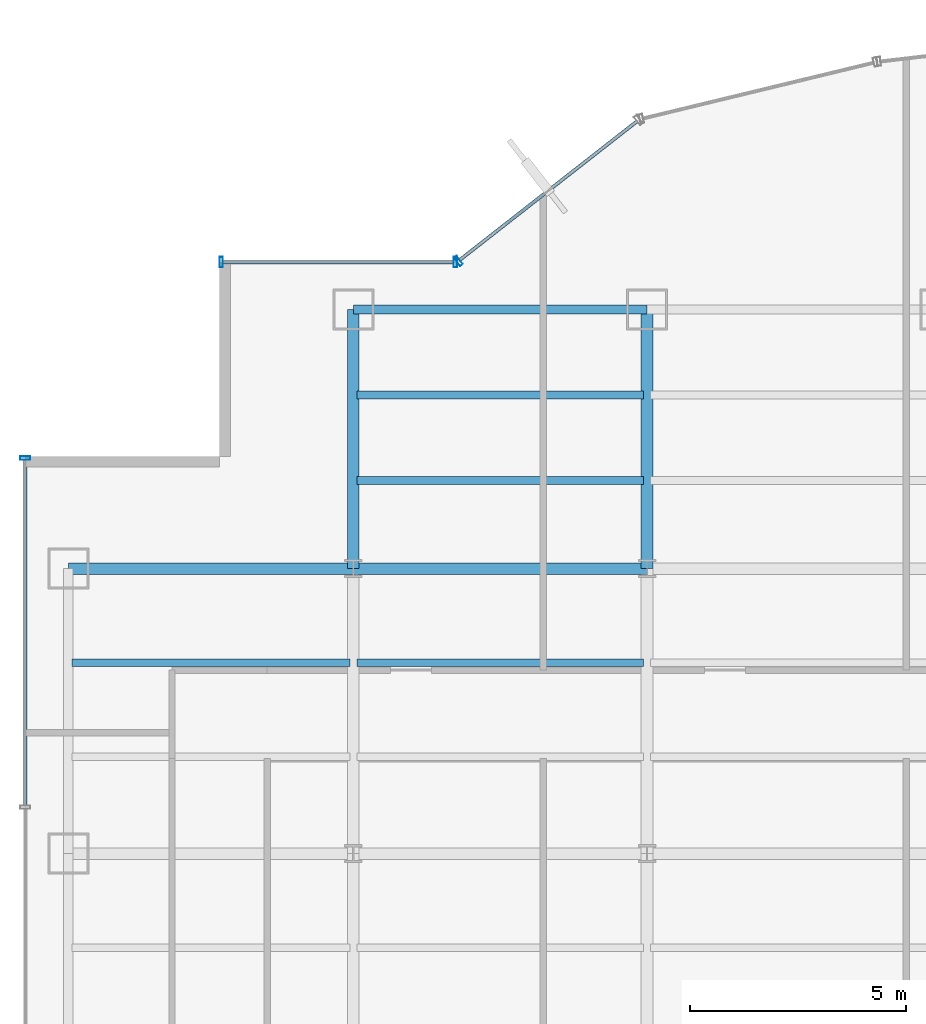
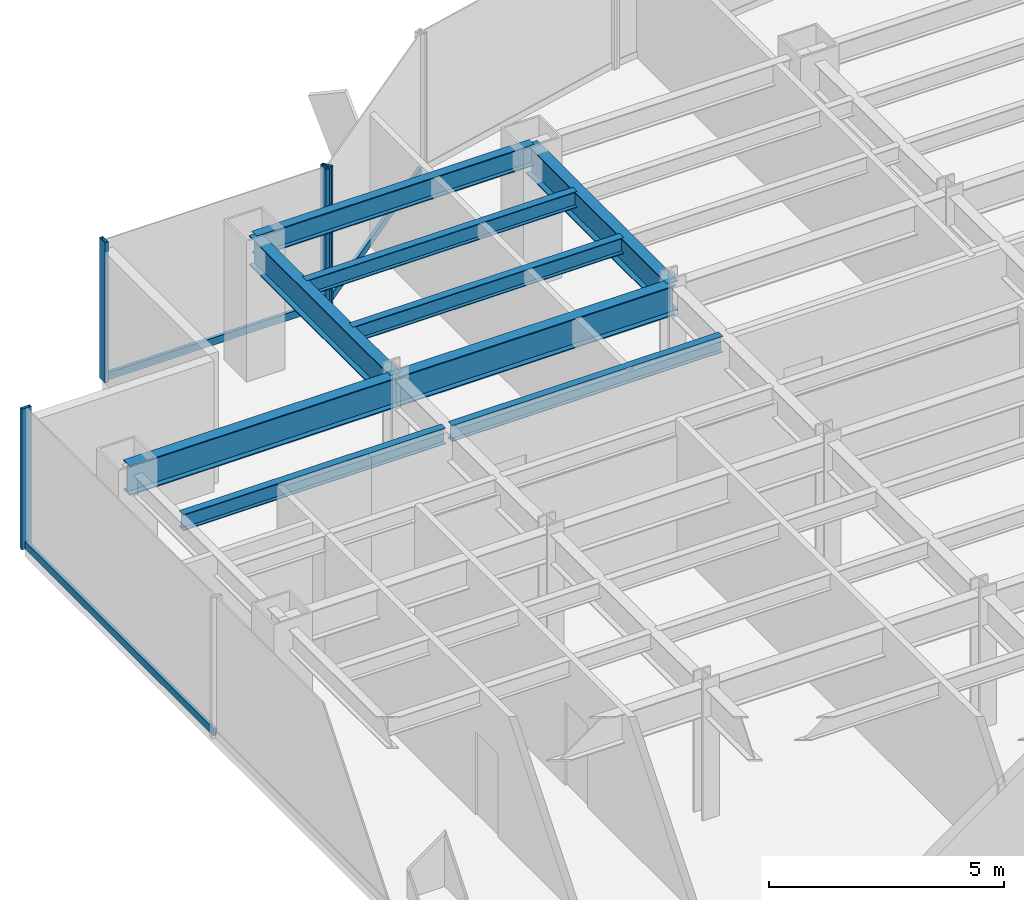
# One storey, part 10 of 23: 9 beams, 7 members, 3 elements without a shape of their own.
"""IFC4 building model written with IfcOpenShell, lengths in metres."""

import ifcopenshell
import ifcopenshell.guid

model = None  # the IFC model being written
_history = None  # IfcOwnerHistory: only IFC2X3 demands one
_inside = {}  # id of a spatial element -> (the spatial element, [elements in it])
_under = {}  # id of a project, library or spatial element -> (it, [spatial elements below it])
_declared = {}  # id of a project -> (the project, [libraries it declares])
_typed = {}  # id of a type object -> (the type object, [elements of that type])
_made_of = {}  # id of a material, layer set ... -> (it, [elements and type objects made of it])


def new_model(schema):
    """Start an empty IFC model of exactly this schema.

    Asked for "IFC4X3", IfcOpenShell would pick the latest addendum, in which some entities
    have other attributes; the version numbers below select the first issue.
    IFC2X3 requires an IfcOwnerHistory on every rooted entity: one is made here for all.
    """
    global model, _history
    if schema == "IFC4X3":
        model = ifcopenshell.file(schema_version=(4, 3, 0, 0))
    else:
        model = ifcopenshell.file(schema=schema)
    _inside.clear()
    _under.clear()
    _declared.clear()
    _typed.clear()
    _made_of.clear()
    _history = None
    if model.schema == "IFC2X3":
        org = make("IfcOrganization", Name="unknown")
        user = make(
            "IfcPersonAndOrganization",
            ThePerson=make("IfcPerson", FamilyName="unknown"),
            TheOrganization=org,
        )
        app = make(
            "IfcApplication",
            ApplicationDeveloper=org,
            Version="unknown",
            ApplicationFullName="unknown",
            ApplicationIdentifier="unknown",
        )
        _history = make(
            "IfcOwnerHistory",
            OwningUser=user,
            OwningApplication=app,
            ChangeAction="ADDED",
            CreationDate=0,
        )
    return model


def make(cls, **values):
    """One entity of the class cls with the attributes given. An attribute that is None is left unset."""
    return model.create_entity(
        cls, **{name: value for name, value in values.items() if value is not None}
    )


def rooted(cls, **values):
    """An entity with a GlobalId (a new one), such as an element, a storey or a relation."""
    return make(cls, GlobalId=ifcopenshell.guid.new(), OwnerHistory=_history, **values)


def si_unit(unit_type, name, prefix=None):
    """IfcSIUnit, for example si_unit("LENGTHUNIT", "METRE", prefix="MILLI")."""
    return make("IfcSIUnit", UnitType=unit_type, Prefix=prefix, Name=name)


def derived_unit(unit_type, elements):
    """IfcDerivedUnit: a product of units, each with its exponent."""
    return make(
        "IfcDerivedUnit",
        Elements=[
            make("IfcDerivedUnitElement", Unit=unit, Exponent=power)
            for unit, power in elements
        ],
        UnitType=unit_type,
    )


def assignment(units):
    """IfcUnitAssignment: the units of a project."""
    return None if units is None else make("IfcUnitAssignment", Units=units)


def point(xyz):
    """IfcCartesianPoint."""
    return None if xyz is None else make("IfcCartesianPoint", Coordinates=xyz)


def direction(xyz):
    """IfcDirection."""
    return None if xyz is None else make("IfcDirection", DirectionRatios=xyz)


def frame(location, z_axis=None, x_axis=None):
    """IfcAxis2Placement3D, a coordinate frame: its origin and axes. An axis left out is left unset."""
    return make(
        "IfcAxis2Placement3D",
        Location=point(location),
        Axis=direction(z_axis),
        RefDirection=direction(x_axis),
    )


def frame_2d(location, x_axis=None):
    """IfcAxis2Placement2D, a coordinate frame in the plane: its origin and x axis."""
    return make(
        "IfcAxis2Placement2D", Location=point(location), RefDirection=direction(x_axis)
    )


def origin():
    """The frame at (0, 0, 0) with its axes left unset."""
    return frame((0.0, 0.0, 0.0))


def origin_2d():
    """The frame at (0, 0) in the plane with its x axis left unset."""
    return frame_2d((0.0, 0.0))


def place(relative_to, where):
    """IfcLocalPlacement: puts the frame where relative to a parent placement (None: the world)."""
    return make(
        "IfcLocalPlacement", PlacementRelTo=relative_to, RelativePlacement=where
    )


def context(
    kind, dimensions, precision=None, world=None, true_north=None, identifier=None
):
    """IfcGeometricRepresentationContext, for example the 3D "Model" context."""
    return make(
        "IfcGeometricRepresentationContext",
        ContextIdentifier=identifier,
        ContextType=kind,
        CoordinateSpaceDimension=dimensions,
        Precision=precision,
        WorldCoordinateSystem=world,
        TrueNorth=true_north,
    )


def subcontext(parent, identifier, kind, view, scale=None):
    """IfcGeometricRepresentationSubContext, for example "Body" below "Model"."""
    return make(
        "IfcGeometricRepresentationSubContext",
        ContextIdentifier=identifier,
        ContextType=kind,
        ParentContext=parent,
        TargetScale=scale,
        TargetView=view,
    )


def project(units=None, contexts=None):
    """IfcProject with its units and contexts."""
    return rooted(
        "IfcProject",
        Name="project",
        RepresentationContexts=contexts,
        UnitsInContext=assignment(units),
    )


def spatial(cls, under=None, at=None, **own):
    """A site, building, storey or space (cls), placed at a placement, below another one or the project."""
    s = rooted(cls, ObjectPlacement=at, **own)
    if under is not None:
        _under.setdefault(under.id(), (under, []))[1].append(s)
    return s


def profile(cls, at=None, kind="AREA", **sizes):
    """A parametric profile (cls). Its sizes go by their IFC names, for example OverallWidth=200.0."""
    return make(cls, ProfileType=kind, Position=at, **sizes)


def hollow_rectangle(**sizes):
    """IfcRectangleHollowProfileDef."""
    return profile("IfcRectangleHollowProfileDef", **sizes)


def i_section(**sizes):
    """IfcIShapeProfileDef."""
    return profile("IfcIShapeProfileDef", **sizes)


def extrude(swept, where, along, depth):
    """IfcExtrudedAreaSolid: the profile swept, set in the frame where, extruded along a direction by depth."""
    return make(
        "IfcExtrudedAreaSolid",
        SweptArea=swept,
        Position=where,
        ExtrudedDirection=direction(along),
        Depth=depth,
    )


def shape(context_of_items, identifier, shape_type, items):
    """IfcShapeRepresentation: the items that make up one representation, for example the "Body"."""
    return make(
        "IfcShapeRepresentation",
        ContextOfItems=context_of_items,
        RepresentationIdentifier=identifier,
        RepresentationType=shape_type,
        Items=items,
    )


def source(mapping_origin, context_of_items, identifier, shape_type, items):
    """IfcRepresentationMap: a shape defined once, which mapped items show again and again."""
    return make(
        "IfcRepresentationMap",
        MappingOrigin=mapping_origin,
        MappedRepresentation=shape(context_of_items, identifier, shape_type, items),
    )


def transform(
    local_origin,
    x_axis=None,
    y_axis=None,
    z_axis=None,
    scale=None,
    scale2=None,
    scale3=None,
    uniform=True,
):
    """IfcCartesianTransformationOperator3D, or its non-uniform kind. x_axis, y_axis, z_axis: its Axis1, 2, 3."""
    if uniform:
        return make(
            "IfcCartesianTransformationOperator3D",
            Axis1=direction(x_axis),
            Axis2=direction(y_axis),
            LocalOrigin=point(local_origin),
            Scale=scale,
            Axis3=direction(z_axis),
        )
    return make(
        "IfcCartesianTransformationOperator3DnonUniform",
        Axis1=direction(x_axis),
        Axis2=direction(y_axis),
        LocalOrigin=point(local_origin),
        Scale=scale,
        Axis3=direction(z_axis),
        Scale2=scale2,
        Scale3=scale3,
    )


def mapped(mapping_source, mapping_target):
    """IfcMappedItem: shows the shape of a source again, moved by a transform."""
    return make(
        "IfcMappedItem", MappingSource=mapping_source, MappingTarget=mapping_target
    )


def material(Name=None, Category=None):
    """IfcMaterial."""
    return make("IfcMaterial", Name=Name, Category=Category)


def material_profile(
    of_material, cross_section, Name=None, Category=None, Priority=None
):
    """IfcMaterialProfile: a cross section and its material."""
    return make(
        "IfcMaterialProfile",
        Name=Name,
        Material=of_material,
        Profile=cross_section,
        Priority=Priority,
        Category=Category,
    )


def profile_set(profiles, Name=None, composite=None):
    """IfcMaterialProfileSet."""
    return make(
        "IfcMaterialProfileSet",
        Name=Name,
        MaterialProfiles=profiles,
        CompositeProfile=composite,
    )


def made_of(thing, what):
    """Note that an element or type object is made of a material, layer set ...; save() writes the relation."""
    if what is not None:
        _made_of.setdefault(what.id(), (what, []))[1].append(thing)
    return thing


def type_object(cls, material=None, **own):
    """A type object (cls), such as IfcWallType, which elements share."""
    return made_of(rooted(cls, **own), material)


def element(
    cls,
    number,
    at=None,
    inside=None,
    cuts=None,
    type_object=None,
    material=None,
    context=None,
    identifier="Body",
    shape_type=None,
    held_by="IfcProductDefinitionShape",
    body=None,
    shapes=None,
    **own,
):
    """One element of the class cls, such as IfcWall. Its Tag is "e" and its number.

    at: its placement. inside: the storey or other place that contains it. cuts: it is an
    opening in that element (IfcRelVoidsElement). A single representation is given by context,
    identifier, shape_type and body (its items); several are given by shapes. held_by: the class
    of the entity that holds the representations. save() writes the other relations.
    """
    e = rooted(cls, Tag="e%d" % number, ObjectPlacement=at, **own)
    if body is not None:
        shapes = [shape(context, identifier, shape_type, body)]
    if shapes is not None:
        e.Representation = make(held_by, Representations=shapes)
    if inside is not None:
        _inside.setdefault(inside.id(), (inside, []))[1].append(e)
    if cuts is not None:
        rooted(
            "IfcRelVoidsElement", RelatingBuildingElement=cuts, RelatedOpeningElement=e
        )
    if type_object is not None:
        _typed.setdefault(type_object.id(), (type_object, []))[1].append(e)
    return made_of(e, material)


def aggregate(whole, parts):
    """IfcRelAggregates: a whole, such as a stair, and the parts it consists of."""
    return rooted("IfcRelAggregates", RelatingObject=whole, RelatedObjects=parts)


def save(model, path):
    """Write the relations noted so far, then the file.

    IfcRelAggregates (storeys below a building ...), IfcRelContainedInSpatialStructure (elements
    in a storey), IfcRelDefinesByType, IfcRelAssociatesMaterial and IfcRelDeclares: one each for
    every whole, place, type object, material and project.
    """
    for whole, parts in _under.values():
        aggregate(whole, parts)
    for where, things in _inside.values():
        rooted(
            "IfcRelContainedInSpatialStructure",
            RelatedElements=things,
            RelatingStructure=where,
        )
    for kind, things in _typed.values():
        rooted("IfcRelDefinesByType", RelatedObjects=things, RelatingType=kind)
    for what, things in _made_of.values():
        rooted("IfcRelAssociatesMaterial", RelatedObjects=things, RelatingMaterial=what)
    for by, libraries in _declared.values():
        rooted("IfcRelDeclares", RelatingContext=by, RelatedDefinitions=libraries)
    model.write(path)


model = new_model("IFC4")

# Units and contexts
model_context = context("Model", 3, precision=1e-05, world=origin(), true_north=direction((0.0, 1.0)))
body_context = subcontext(model_context, "Body", "Model", "MODEL_VIEW")
ifc_project = project(units=[si_unit("LENGTHUNIT", "METRE"), si_unit("AREAUNIT", "SQUARE_METRE"), si_unit("VOLUMEUNIT", "CUBIC_METRE"), si_unit("PLANEANGLEUNIT", "RADIAN"), si_unit("MASSUNIT", "GRAM", prefix="KILO"), derived_unit("THERMALTRANSMITTANCEUNIT", [(si_unit("POWERUNIT", "WATT"), 1), (si_unit("LENGTHUNIT", "METRE"), -2), (si_unit("THERMODYNAMICTEMPERATUREUNIT", "KELVIN"), -1)])], contexts=[model_context])

# Site, building, storey
site_placement = place(None, origin())
site = spatial("IfcSite", under=ifc_project, at=site_placement, CompositionType="ELEMENT")
building_placement = place(site_placement, origin())
building = spatial("IfcBuilding", under=site, at=building_placement, Name="Skarnbrae Concourse Arena and Tower", CompositionType="ELEMENT")
storey_placement = place(building_placement, frame((0.0, 0.0, 47.10009765625)))
storey = spatial("IfcBuildingStorey", under=building, at=storey_placement, Name="L10", CompositionType="ELEMENT", Elevation=47.10009765625)

# Beams
ifc_material_1 = material(Name="Steel CSA G40.21 350W", Category="steel")
ifc_material_profile_1 = material_profile(ifc_material_1, i_section(OverallWidth=0.26806640625, OverallDepth=0.77001953125, WebThickness=0.015625, FlangeThickness=0.025390625, at=origin_2d()), Name="W760X196")
ifc_profile_set_1 = profile_set([ifc_material_profile_1], Name="Steel CSA G40.21 350W")
beam_type_1 = type_object("IfcBeamType", Name="BM-GIRD-W760X196", PredefinedType="BEAM", material=ifc_profile_set_1)
shared_shape_1 = source(origin(), body_context, "Body", "SweptSolid", [
    extrude(i_section(OverallWidth=0.26806640625, OverallDepth=0.77001953125, WebThickness=0.015625, FlangeThickness=0.025390625, at=origin_2d()), origin(), (0.0, 0.0, 1.0), 6.60009765625),
])
beam_1_placement = place(storey_placement, frame((1.0, 34.39990234375, 3.014892578125), z_axis=(1.0, 0.0, 0.0), x_axis=(0.0, 1.0, 0.0)))
element("IfcBeam", 1, at=beam_1_placement, inside=storey, type_object=beam_type_1, Name="L10 Primary E-W girder Y34.4-1", PredefinedType="BEAM", context=body_context, shape_type="MappedRepresentation", body=[
    mapped(shared_shape_1, transform((0.0, 0.0, 0.0))),
])
shared_shape_2 = source(origin(), body_context, "Body", "SweptSolid", [
    extrude(i_section(OverallWidth=0.26806640625, OverallDepth=0.77001953125, WebThickness=0.015625, FlangeThickness=0.025390625, at=origin_2d()), origin(), (0.0, 0.0, 1.0), 6.7998046875),
])
beam_2_placement = place(storey_placement, frame((7.60009765625, 34.39990234375, 3.014892578125), z_axis=(1.0, 0.0, 0.0), x_axis=(0.0, 1.0, 0.0)))
element("IfcBeam", 2, at=beam_2_placement, inside=storey, type_object=beam_type_1, Name="L10 Primary E-W girder Y34.4-2", PredefinedType="BEAM", context=body_context, shape_type="MappedRepresentation", body=[
    mapped(shared_shape_2, transform((0.0, 0.0, 0.0))),
])
shared_shape_3 = source(origin(), body_context, "Body", "SweptSolid", [
    extrude(i_section(OverallWidth=0.26806640625, OverallDepth=0.77001953125, WebThickness=0.015625, FlangeThickness=0.025390625, at=origin_2d()), origin(), (0.0, 0.0, 1.0), 6.0),
])
for number, where, z_axis, x_axis, name in (
    (3, (7.60009765625, 34.39990234375, 3.014892578125), (0.0, 1.0, 0.0), (-1.0, 0.0, 0.0), "L10 Primary N-S girder X7.6-4"),
    (4, (14.39990234375, 34.39990234375, 3.014892578125), (0.0, 1.0, 0.0), (-1.0, 0.0, 0.0), "L10 Primary N-S girder X14.4-4"),
):
    element("IfcBeam", number, at=place(storey_placement, frame(where, z_axis=z_axis, x_axis=x_axis)), inside=storey, type_object=beam_type_1, Name=name, PredefinedType="BEAM", context=body_context, shape_type="MappedRepresentation", body=[
        mapped(shared_shape_3, transform((0.0, 0.0, 0.0))),
    ])
ifc_material_profile_2 = material_profile(ifc_material_1, i_section(OverallWidth=0.214111328125, OverallDepth=0.549072265625, WebThickness=0.0146484375, FlangeThickness=0.023681640625, at=origin_2d()), Name="W530X138")
ifc_profile_set_2 = profile_set([ifc_material_profile_2], Name="Steel CSA G40.21 350W")
beam_type_2 = type_object("IfcBeamType", Name="BM-SPAN-W530X138", PredefinedType="SPANDREL", material=ifc_profile_set_2)
shared_shape_4 = source(origin(), body_context, "Body", "SweptSolid", [
    extrude(i_section(OverallWidth=0.214111328125, OverallDepth=0.549072265625, WebThickness=0.0146484375, FlangeThickness=0.023681640625, at=origin_2d()), origin(), (0.0, 0.0, 1.0), 6.7998046875),
])
beam_3_placement = place(storey_placement, frame((7.60009765625, 40.39990234375, 3.12548828125), z_axis=(1.0, 0.0, 0.0), x_axis=(0.0, 1.0, 0.0)))
element("IfcBeam", 5, at=beam_3_placement, inside=storey, type_object=beam_type_2, Name="L10 Perimeter spandrel Y40.4-1", PredefinedType="SPANDREL", context=body_context, shape_type="MappedRepresentation", body=[
    mapped(shared_shape_4, transform((0.0, 0.0, 0.0))),
])
ifc_material_profile_3 = material_profile(ifc_material_1, i_section(OverallWidth=0.180908203125, OverallDepth=0.4169921875, WebThickness=0.010986328125, FlangeThickness=0.018310546875, at=origin_2d()), Name="W410X85")
ifc_profile_set_3 = profile_set([ifc_material_profile_3], Name="Steel CSA G40.21 350W")
beam_type_3 = type_object("IfcBeamType", Name="BM-JOIST-W410X85", PredefinedType="JOIST", material=ifc_profile_set_3)
shared_shape_5 = source(origin(), body_context, "Body", "SweptSolid", [
    extrude(i_section(OverallWidth=0.180908203125, OverallDepth=0.4169921875, WebThickness=0.010986328125, FlangeThickness=0.018310546875, at=origin_2d()), origin(), (0.0, 0.0, 1.0), 6.43994140625),
])
beam_4_placement = place(storey_placement, frame((1.080078125, 32.221923828125, 3.19140625), z_axis=(1.0, 0.0, 0.0), x_axis=(0.0, 1.0, 0.0)))
element("IfcBeam", 6, at=beam_4_placement, inside=storey, type_object=beam_type_3, Name="L10 Secondary floor joist 3.2.1", PredefinedType="JOIST", context=body_context, shape_type="MappedRepresentation", body=[
    mapped(shared_shape_5, transform((0.0, 0.0, 0.0))),
])
shared_shape_6 = source(origin(), body_context, "Body", "SweptSolid", [
    extrude(i_section(OverallWidth=0.180908203125, OverallDepth=0.4169921875, WebThickness=0.010986328125, FlangeThickness=0.018310546875, at=origin_2d()), origin(), (0.0, 0.0, 1.0), 6.64013671875),
])
for number, where, z_axis, x_axis, name in (
    (7, (7.679931640625, 32.221923828125, 3.19140625), (1.0, 0.0, 0.0), (0.0, 1.0, 0.0), "L10 Secondary floor joist 3.2.2"),
    (8, (7.679931640625, 36.43994140625, 3.19140625), (1.0, 0.0, 0.0), (0.0, 1.0, 0.0), "L10 Secondary floor joist 4.1.1"),
    (9, (7.679931640625, 38.419921875, 3.19140625), (1.0, 0.0, 0.0), (0.0, 1.0, 0.0), "L10 Secondary floor joist 4.2.1"),
):
    element("IfcBeam", number, at=place(storey_placement, frame(where, z_axis=z_axis, x_axis=x_axis)), inside=storey, type_object=beam_type_3, Name=name, PredefinedType="JOIST", context=body_context, shape_type="MappedRepresentation", body=[
        mapped(shared_shape_6, transform((0.0, 0.0, 0.0))),
    ])

# Curtain wall, member
ifc_material_2 = material(Name="Bronze anodised aluminium 6063-T6", Category="aluminium")
curtain_wall_type = type_object("IfcCurtainWallType", Name="CW-SYS-02-LOWZONE", PredefinedType="USERDEFINED", material=ifc_material_2)
curtain_wall_1_placement = place(storey_placement, origin())
curtain_wall_1 = element("IfcCurtainWall", 10, at=curtain_wall_1_placement, inside=storey, type_object=curtain_wall_type, Name="L10 Unitised curtain wall CW-L10-E15", ObjectType="UNITISED CURTAIN WALL", PredefinedType="USERDEFINED")
ifc_material_profile_4 = material_profile(ifc_material_2, hollow_rectangle(XDim=0.080078125, YDim=0.239990234375, WallThickness=0.0048828125, at=origin_2d()), Name="ALU-MULL-80X240")
ifc_profile_set_4 = profile_set([ifc_material_profile_4], Name="Bronze anodised aluminium 6063-T6")
member_type_1 = type_object("IfcMemberType", Name="CWM-CW-02", PredefinedType="MULLION", material=ifc_profile_set_4)
shared_shape_7 = source(origin(), body_context, "Body", "SweptSolid", [
    extrude(hollow_rectangle(XDim=0.080078125, YDim=0.239990234375, WallThickness=0.0048828125, at=origin_2d()), origin(), (0.0, 0.0, 1.0), 3.64990234375),
])
member_1_placement = place(storey_placement, frame((10.031494140625, 41.524658203125, 0.0), z_axis=(0.0, 0.0, 1.0), x_axis=(-0.787651726054, -0.616120733658, 0.0)))
member_1 = element("IfcMember", 11, at=member_1_placement, type_object=member_type_1, Name="CW-L10-E15 Mullion 2", PredefinedType="MULLION", context=body_context, shape_type="MappedRepresentation", body=[
    mapped(shared_shape_7, transform((0.0, 0.0, 0.0))),
])

# Curtain wall, members
curtain_wall_2_placement = place(storey_placement, origin())
curtain_wall_2 = element("IfcCurtainWall", 12, at=curtain_wall_2_placement, inside=storey, type_object=curtain_wall_type, Name="L10 Unitised curtain wall CW-L10-E16", ObjectType="UNITISED CURTAIN WALL", PredefinedType="USERDEFINED")
member_2_placement = place(storey_placement, frame((9.9599609375, 41.5, 0.0), z_axis=(0.0, 0.0, 1.0), x_axis=(-1.0, 0.0, 0.0)))
member_2 = element("IfcMember", 13, at=member_2_placement, type_object=member_type_1, Name="CW-L10-E16 Mullion 1", PredefinedType="MULLION", context=body_context, shape_type="MappedRepresentation", body=[
    mapped(shared_shape_7, transform((0.0, 0.0, 0.0))),
])
member_3_placement = place(storey_placement, frame((4.5400390625, 41.5, 0.0), z_axis=(0.0, 0.0, 1.0), x_axis=(-1.0, 0.0, 0.0)))
member_3 = element("IfcMember", 14, at=member_3_placement, type_object=member_type_1, Name="CW-L10-E16 Mullion 2", PredefinedType="MULLION", context=body_context, shape_type="MappedRepresentation", body=[
    mapped(shared_shape_7, transform((0.0, 0.0, 0.0))),
])

# Curtain wall, member
curtain_wall_3_placement = place(storey_placement, origin())
curtain_wall_3 = element("IfcCurtainWall", 15, at=curtain_wall_3_placement, inside=storey, type_object=curtain_wall_type, Name="L10 Unitised curtain wall CW-L10-E19", ObjectType="UNITISED CURTAIN WALL", PredefinedType="USERDEFINED")
member_4_placement = place(storey_placement, frame((0.0, 36.9599609375, 0.0), z_axis=(0.0, 0.0, 1.0), x_axis=(0.0, -1.0, 0.0)))
member_4 = element("IfcMember", 16, at=member_4_placement, type_object=member_type_1, Name="CW-L10-E19 Mullion 1", PredefinedType="MULLION", context=body_context, shape_type="MappedRepresentation", body=[
    mapped(shared_shape_7, transform((0.0, 0.0, 0.0))),
])

# Member
ifc_material_profile_5 = material_profile(ifc_material_2, hollow_rectangle(XDim=0.080078125, YDim=0.18994140625, WallThickness=0.0048828125, at=origin_2d()), Name="ALU-TRAN-80X190")
ifc_profile_set_5 = profile_set([ifc_material_profile_5], Name="Bronze anodised aluminium 6063-T6")
member_type_2 = type_object("IfcMemberType", Name="CWT-CW-02", PredefinedType="USERDEFINED", material=ifc_profile_set_5)
shared_shape_8 = source(origin(), body_context, "Body", "SweptSolid", [
    extrude(hollow_rectangle(XDim=0.080078125, YDim=0.18994140625, WallThickness=0.0048828125, at=origin_2d()), origin(), (0.0, 0.0, 1.0), 5.33984375),
])
member_5_placement = place(storey_placement, frame((9.919921875, 41.5, 0.094970703125), z_axis=(-1.0, 0.0, 0.0), x_axis=(0.0, -1.0, 0.0)))
member_5 = element("IfcMember", 17, at=member_5_placement, type_object=member_type_2, Name="CW-L10-E16 Transom 1", ObjectType="TRANSOM", PredefinedType="USERDEFINED", context=body_context, shape_type="MappedRepresentation", body=[
    mapped(shared_shape_8, transform((0.0, 0.0, 0.0))),
])

aggregate(curtain_wall_2, [member_2, member_3, member_5])

shared_shape_9 = source(origin(), body_context, "Body", "SweptSolid", [
    extrude(hollow_rectangle(XDim=0.080078125, YDim=0.18994140625, WallThickness=0.0048828125, at=origin_2d()), origin(), (0.0, 0.0, 1.0), 5.215087890625),
])
member_6_placement = place(storey_placement, frame((14.170654296875, 44.762451171875, 0.094970703125), z_axis=(-0.787650196702, -0.616122688784, 0.0), x_axis=(0.616122688784, -0.787650196702, 0.0)))
member_6 = element("IfcMember", 18, at=member_6_placement, type_object=member_type_2, Name="CW-L10-E15 Transom 1", ObjectType="TRANSOM", PredefinedType="USERDEFINED", context=body_context, shape_type="MappedRepresentation", body=[
    mapped(shared_shape_9, transform((0.0, 0.0, 0.0))),
])

aggregate(curtain_wall_1, [member_1, member_6])

shared_shape_10 = source(origin(), body_context, "Body", "SweptSolid", [
    extrude(hollow_rectangle(XDim=0.080078125, YDim=0.18994140625, WallThickness=0.0048828125, at=origin_2d()), origin(), (0.0, 0.0, 1.0), 8.0048828125),
])
member_7_placement = place(storey_placement, frame((0.0, 36.919921875, 0.094970703125), z_axis=(0.0, -1.0, 0.0), x_axis=(1.0, 0.0, 0.0)))
member_7 = element("IfcMember", 19, at=member_7_placement, type_object=member_type_2, Name="CW-L10-E19 Transom 1", ObjectType="TRANSOM", PredefinedType="USERDEFINED", context=body_context, shape_type="MappedRepresentation", body=[
    mapped(shared_shape_10, transform((0.0, 0.0, 0.0))),
])

aggregate(curtain_wall_3, [member_4, member_7])

save(model, "model.ifc")
